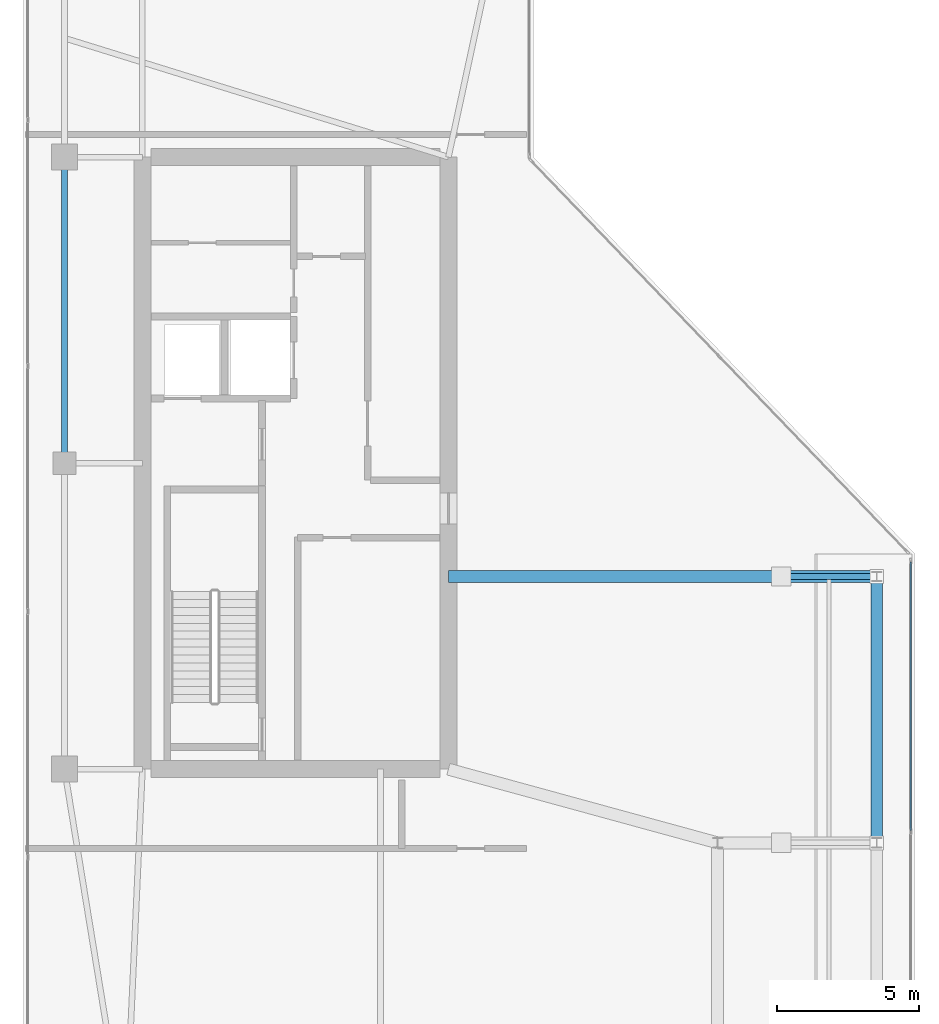
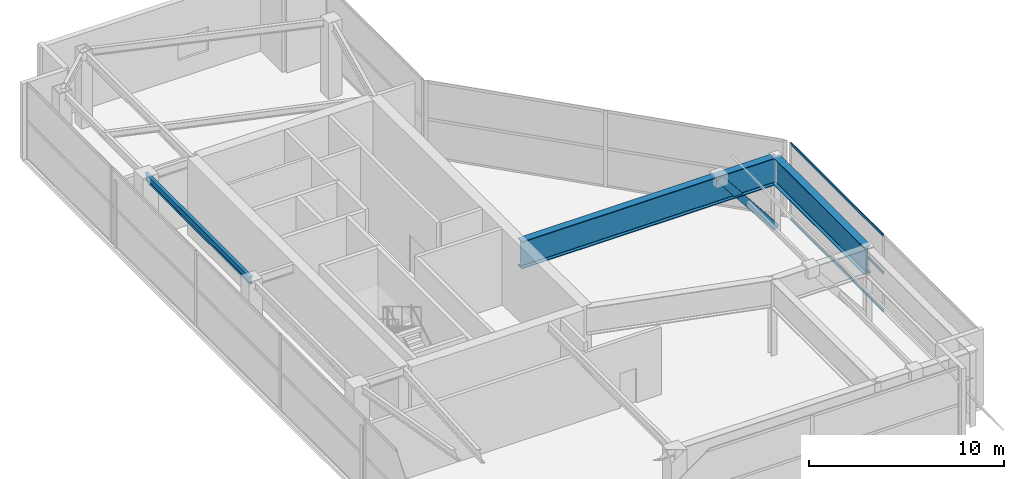
# One storey, part 12 of 22: 4 beams, 3 members, 1 element without a shape of its own.
"""IFC4 building model written with IfcOpenShell, lengths in metres."""

from ifc_helpers import new_model, si_unit, direction, frame, origin, origin_2d, place, context, subcontext, project, spatial, hollow_rectangle, i_section, extrude, material, layer, layer_set, material_profile, profile_set, type_object, element, aggregate, save


model = new_model("IFC4")

# Units and contexts
model_context = context("Model", 3, precision=1e-05, world=origin(), true_north=direction((0.0, 1.0)))
body_context = subcontext(model_context, "Body", "Model", "MODEL_VIEW")
ifc_project = project(units=[si_unit("LENGTHUNIT", "METRE"), si_unit("AREAUNIT", "SQUARE_METRE"), si_unit("VOLUMEUNIT", "CUBIC_METRE"), si_unit("PLANEANGLEUNIT", "RADIAN"), si_unit("MASSUNIT", "GRAM", prefix="KILO")], contexts=[model_context])

# Site, building, storey
site_placement = place(None, origin())
site = spatial("IfcSite", under=ifc_project, at=site_placement, CompositionType="ELEMENT")
building_placement = place(site_placement, origin())
building = spatial("IfcBuilding", under=site, at=building_placement, Name="Calvorn Quay Hotel", CompositionType="ELEMENT")
storey_placement = place(building_placement, frame((0.0, 0.0, 325.5)))
storey = spatial("IfcBuildingStorey", under=building, at=storey_placement, Name="L80", CompositionType="ELEMENT", Elevation=325.5)

# Beams
ifc_material_1 = material(Name="Steel Q355B", Category="steel")
ifc_material_profile_1 = material_profile(ifc_material_1, hollow_rectangle(XDim=0.199951171875, YDim=0.39990234375, WallThickness=0.013916015625, at=origin_2d()), Name="RHS400x200x14")
ifc_profile_set_1 = profile_set([ifc_material_profile_1], Name="Steel Q355B")
beam_type_1 = type_object("IfcBeamType", Name="BM-CRN-RAFTER", PredefinedType="BEAM", material=ifc_profile_set_1)
beam_1_placement = place(storey_placement, frame((30.116943359375, 23.60009765625, 0.25), z_axis=(-0.620072794286, 0.0, 0.784544281597), x_axis=(0.0, -1.0, 0.0)))
element("IfcBeam", 1, at=beam_1_placement, inside=storey, type_object=beam_type_1, Name="Crown Raking Rafter L80-3", PredefinedType="BEAM", context=body_context, shape_type="SweptSolid", body=[
    extrude(hollow_rectangle(XDim=0.199951171875, YDim=0.39990234375, WallThickness=0.013916015625, at=origin_2d()), origin(), (0.0, 0.0, 1.0), 5.429931640625),
])
ifc_material_2 = material(Name="Steel Q355B", Category="steel")
ifc_material_profile_2 = material_profile(ifc_material_2, i_section(OverallWidth=0.199951171875, OverallDepth=0.449951171875, WebThickness=0.009033203125, FlangeThickness=0.013916015625, FilletRadius=0.01611328125, at=origin_2d()), Name="HN450x200x9x14")
ifc_profile_set_2 = profile_set([ifc_material_profile_2], Name="Steel Q355B")
beam_type_2 = type_object("IfcBeamType", Name="BM-SPANDREL-Z3", PredefinedType="SPANDREL", material=ifc_profile_set_2)
beam_2_placement = place(storey_placement, frame((1.449951171875, 27.60009765625, 4.514892578125), z_axis=(0.0, 1.0, 0.0), x_axis=(-1.0, 0.0, 0.0)))
element("IfcBeam", 2, at=beam_2_placement, inside=storey, type_object=beam_type_2, Name="Beam BSP-L80-W3", PredefinedType="SPANDREL", context=body_context, shape_type="SweptSolid", body=[
    extrude(i_section(OverallWidth=0.199951171875, OverallDepth=0.449951171875, WebThickness=0.009033203125, FlangeThickness=0.013916015625, FilletRadius=0.01611328125, at=origin_2d()), origin(), (0.0, 0.0, 1.0), 10.7998046875),
])
ifc_material_3 = material(Name="Steel Q420GJC", Category="steel")
ifc_material_profile_3 = material_profile(ifc_material_3, i_section(OverallWidth=0.419921875, OverallDepth=1.699951171875, WebThickness=0.02392578125, FlangeThickness=0.0419921875, FilletRadius=0.02392578125, at=origin_2d()), Name="HN1700x420x24x42")
ifc_profile_set_3 = profile_set([ifc_material_profile_3], Name="Steel Q420GJC")
beam_type_3 = type_object("IfcBeamType", Name="BM-XFER-SAWTOOTH", PredefinedType="BEAM", material=ifc_profile_set_3)
beam_3_placement = place(storey_placement, frame((15.0, 23.60009765625, 3.889892578125), z_axis=(1.0, 0.0, 0.0), x_axis=(0.0, 1.0, 0.0)))
element("IfcBeam", 3, at=beam_3_placement, inside=storey, type_object=beam_type_3, Name="Beam BTG-L80-C-CR3", PredefinedType="BEAM", context=body_context, shape_type="SweptSolid", body=[
    extrude(i_section(OverallWidth=0.419921875, OverallDepth=1.699951171875, WebThickness=0.02392578125, FlangeThickness=0.0419921875, FilletRadius=0.02392578125, at=origin_2d()), origin(), (0.0, 0.0, 1.0), 15.116943359375),
])
beam_4_placement = place(storey_placement, frame((30.116943359375, 14.199951171875, 3.889892578125), z_axis=(0.0, 1.0, 0.0), x_axis=(-1.0, 0.0, 0.0)))
element("IfcBeam", 4, at=beam_4_placement, inside=storey, type_object=beam_type_3, Name="Beam BTG-L80-CE2", PredefinedType="BEAM", context=body_context, shape_type="SweptSolid", body=[
    extrude(i_section(OverallWidth=0.419921875, OverallDepth=1.699951171875, WebThickness=0.02392578125, FlangeThickness=0.0419921875, FilletRadius=0.02392578125, at=origin_2d()), origin(), (0.0, 0.0, 1.0), 9.400146484375),
])

# Curtain wall, members
ifc_material_4 = material(Name="Pale Anodised Aluminium and Laminated Glass", Category="aluminium")
ifc_layer = layer(ifc_material_4, 0.219970703125)
ifc_layer_set = layer_set([ifc_layer], Name="CW-SYS-CRN")
curtain_wall_type = type_object("IfcCurtainWallType", Name="CW-SYS-CRN", PredefinedType="NOTDEFINED", material=ifc_layer_set)
curtain_wall_placement = place(storey_placement, origin())
curtain_wall = element("IfcCurtainWall", 5, at=curtain_wall_placement, inside=storey, type_object=curtain_wall_type, Name="Crown Curtain Wall L80-C2", PredefinedType="NOTDEFINED")
ifc_material_5 = material(Name="Pale Anodised Aluminium 6063-T6", Category="aluminium")
ifc_material_profile_4 = material_profile(ifc_material_5, hollow_rectangle(XDim=0.06201171875, YDim=0.159912109375, WallThickness=0.00341796875, at=origin_2d()), Name="ALU-T160x62x3.5")
ifc_profile_set_4 = profile_set([ifc_material_profile_4], Name="Pale Anodised Aluminium 6063-T6")
member_type = type_object("IfcMemberType", Name="CW-SYS-CRN-TRN", PredefinedType="USERDEFINED", material=ifc_profile_set_4)
member_1_placement = place(storey_placement, frame((31.31689453125, 14.6298828125, 0.030029296875), z_axis=(0.0, 1.0, 0.0), x_axis=(-1.0, 0.0, 0.0)))
member_1 = element("IfcMember", 6, at=member_1_placement, type_object=member_type, Name="CW-L80-C2 transom 2.1", ObjectType="TRANSOM", PredefinedType="USERDEFINED", context=body_context, shape_type="SweptSolid", body=[
    extrude(hollow_rectangle(XDim=0.06201171875, YDim=0.159912109375, WallThickness=0.00341796875, at=origin_2d()), origin(), (0.0, 0.0, 1.0), 9.490234375),
])
member_2_placement = place(storey_placement, frame((31.31689453125, 14.6298828125, 2.39990234375), z_axis=(0.0, 1.0, 0.0), x_axis=(-1.0, 0.0, 0.0)))
member_2 = element("IfcMember", 7, at=member_2_placement, type_object=member_type, Name="CW-L80-C2 transom 2.2", ObjectType="TRANSOM", PredefinedType="USERDEFINED", context=body_context, shape_type="SweptSolid", body=[
    extrude(hollow_rectangle(XDim=0.06201171875, YDim=0.159912109375, WallThickness=0.00341796875, at=origin_2d()), origin(), (0.0, 0.0, 1.0), 9.490234375),
])
member_3_placement = place(storey_placement, frame((31.31689453125, 14.6298828125, 4.72998046875), z_axis=(0.0, 1.0, 0.0), x_axis=(-1.0, 0.0, 0.0)))
member_3 = element("IfcMember", 8, at=member_3_placement, type_object=member_type, Name="CW-L80-C2 transom 2.3", ObjectType="TRANSOM", PredefinedType="USERDEFINED", context=body_context, shape_type="SweptSolid", body=[
    extrude(hollow_rectangle(XDim=0.06201171875, YDim=0.159912109375, WallThickness=0.00341796875, at=origin_2d()), origin(), (0.0, 0.0, 1.0), 9.490234375),
])
aggregate(curtain_wall, [member_1, member_2, member_3])

save(model, "model.ifc")
